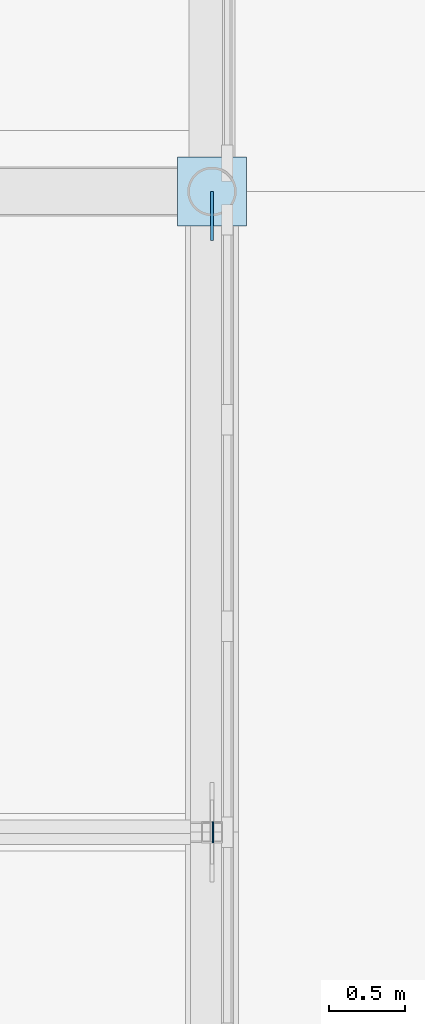
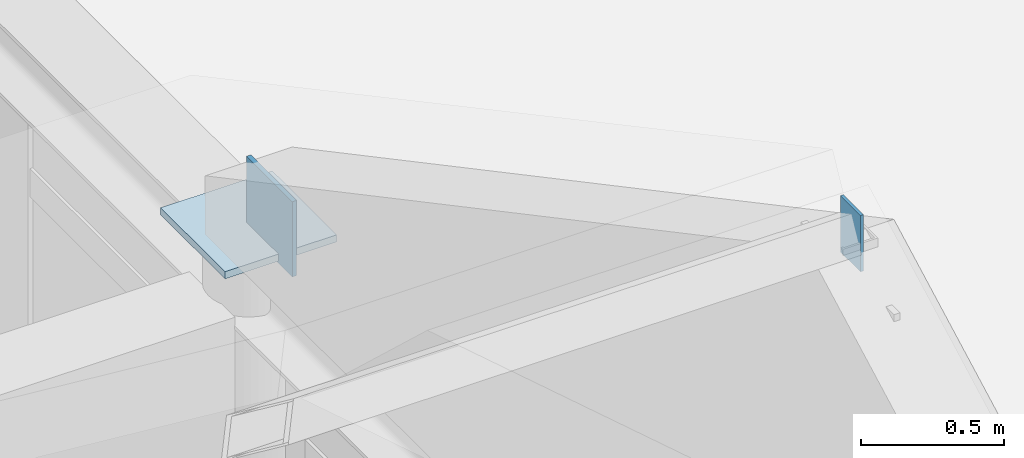
# One storey, part 86 of 143: 3 plates.
"""IFC4 building model written with IfcOpenShell, lengths in metres."""

from ifc_helpers import new_model, si_unit, direction, frame, origin, origin_2d, place, context, subcontext, project, spatial, rectangle, extrude, material, layer, layer_set, type_object, element, save


model = new_model("IFC4")

# Units and contexts
model_context = context("Model", 3, precision=1e-05, world=origin(), true_north=direction((0.0, 1.0)))
body_context = subcontext(model_context, "Body", "Model", "MODEL_VIEW")
ifc_project = project(units=[si_unit("LENGTHUNIT", "METRE"), si_unit("AREAUNIT", "SQUARE_METRE"), si_unit("VOLUMEUNIT", "CUBIC_METRE"), si_unit("PLANEANGLEUNIT", "RADIAN"), si_unit("MASSUNIT", "GRAM", prefix="KILO")], contexts=[model_context])

# Site, building, storey
site_placement = place(None, origin())
site = spatial("IfcSite", under=ifc_project, at=site_placement, CompositionType="ELEMENT")
building_placement = place(site_placement, origin())
building = spatial("IfcBuilding", under=site, at=building_placement, Name="Kveldsbrygga Polytechnic", CompositionType="ELEMENT")
storey_placement = place(building_placement, origin())
storey = spatial("IfcBuildingStorey", under=building, at=storey_placement, Name="L00", CompositionType="ELEMENT", Elevation=0.0)

# Plates
ifc_material = material(Name="Steel S355", Category="steel")
ifc_layer_1 = layer(ifc_material, 0.030029296875)
ifc_layer_set_1 = layer_set([ifc_layer_1], Name="Steel S355")
plate_type_1 = type_object("IfcPlateType", Name="CAP-BEAR-450", PredefinedType="SHEET", material=ifc_layer_set_1)
plate_1_placement = place(storey_placement, frame((50.39990234375, 33.60009765625, 5.10986328125), z_axis=(0.0, 0.0, 1.0), x_axis=(1.0, 0.0, 0.0)))
element("IfcPlate", 1, at=plate_1_placement, inside=storey, type_object=plate_type_1, Name="Truss Bearing Plate ARC-WS-T03-B", PredefinedType="SHEET", context=body_context, shape_type="SweptSolid", body=[
    extrude(rectangle(XDim=0.449951171875, YDim=0.449951171875, at=origin_2d()), origin(), (0.0, 0.0, 1.0), 0.030029296875),
])
ifc_layer_2 = layer(ifc_material, 0.011962890625)
ifc_layer_set_2 = layer_set([ifc_layer_2], Name="Steel S355")
plate_type_2 = type_object("IfcPlateType", Name="CAP-PRL-200", PredefinedType="SHEET", material=ifc_layer_set_2)
plate_2_placement = place(storey_placement, frame((50.406005859375, 29.39990234375, 7.513671875), z_axis=(0.0, 0.0, 1.0), x_axis=(1.0, 0.0, 0.0)))
element("IfcPlate", 2, at=plate_2_placement, inside=storey, type_object=plate_type_2, Name="Purlin End Cap Plate ARC-WS-EP-B-1", PredefinedType="SHEET", context=body_context, shape_type="SweptSolid", body=[
    extrude(rectangle(XDim=0.011962890625, YDim=0.139892578125, at=origin_2d()), origin(), (0.0, 0.0, 1.0), 0.239990234375),
])
ifc_layer_3 = layer(ifc_material, 0.01806640625)
ifc_layer_set_3 = layer_set([ifc_layer_3], Name="Steel S355")
plate_type_3 = type_object("IfcPlateType", Name="GUS-BRACE-320", PredefinedType="SHEET", material=ifc_layer_set_3)
plate_3_placement = place(storey_placement, frame((50.39990234375, 33.43994140625, 5.10009765625), z_axis=(0.0, 0.0, 1.0), x_axis=(1.0, 0.0, 0.0)))
element("IfcPlate", 3, at=plate_3_placement, inside=storey, type_object=plate_type_3, Name="Truss Eaves Node Gusset ARC-WS-T03-EGP-B", PredefinedType="SHEET", context=body_context, shape_type="SweptSolid", body=[
    extrude(rectangle(XDim=0.01806640625, YDim=0.320068359375, at=origin_2d()), origin(), (0.0, 0.0, 1.0), 0.320068359375),
])

save(model, "model.ifc")
